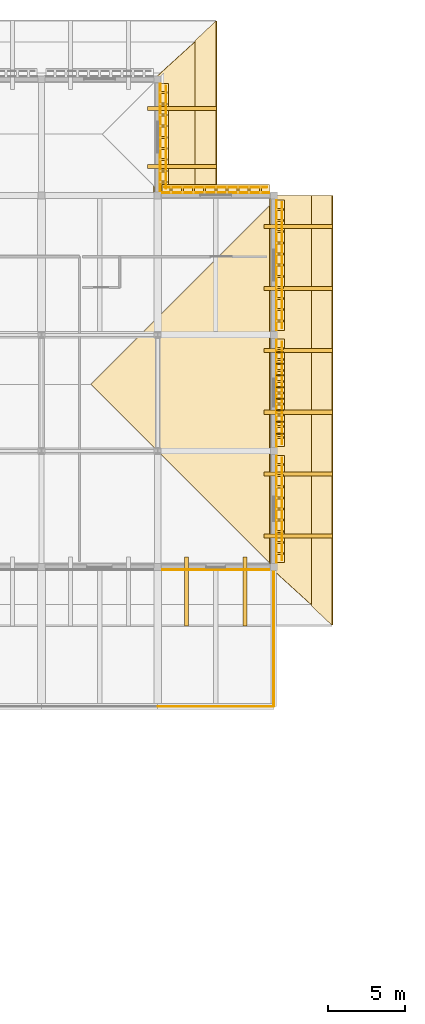
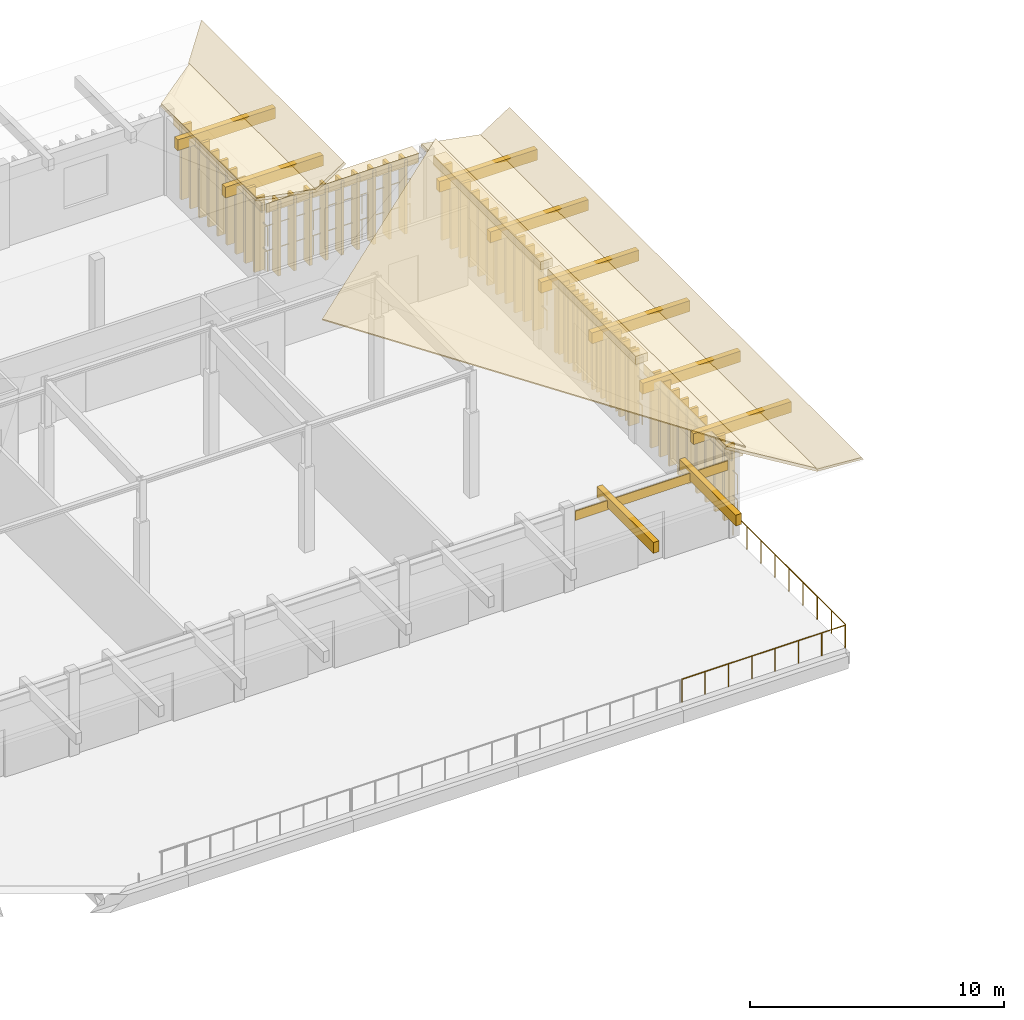
# One storey, part 48 of 48: 73 coverings, 12 railings, 8 shading devices.
"""IFC4 building model written with IfcOpenShell, lengths in metres."""

from ifc_helpers import new_model, si_unit, direction, frame, origin, origin_2d, place, context, subcontext, project, spatial, polyline, rectangle, circle, outline, extrude, material, layer, layer_set, type_object, element, save


model = new_model("IFC4")

# Units and contexts
model_context = context("Model", 3, precision=1e-05, world=origin(), true_north=direction((0.0, 1.0)))
body_context = subcontext(model_context, "Body", "Model", "MODEL_VIEW")
ifc_project = project(units=[si_unit("LENGTHUNIT", "METRE"), si_unit("AREAUNIT", "SQUARE_METRE"), si_unit("VOLUMEUNIT", "CUBIC_METRE"), si_unit("PLANEANGLEUNIT", "RADIAN"), si_unit("MASSUNIT", "GRAM", prefix="KILO")], contexts=[model_context])

# Site, building, storey
site_placement = place(None, origin())
site = spatial("IfcSite", under=ifc_project, at=site_placement, CompositionType="ELEMENT")
building_placement = place(site_placement, origin())
building = spatial("IfcBuilding", under=site, at=building_placement, Name="Dalvernix Boulevard General Hospital", CompositionType="ELEMENT")
storey_placement = place(building_placement, frame((0.0, 0.0, 17.85009765625)))
storey = spatial("IfcBuildingStorey", under=building, at=storey_placement, Name="L04", CompositionType="ELEMENT", Elevation=17.85009765625)

# Coverings
ifc_material_1 = material(Name="Polychrome Catalan glazed ceramic spandrel tile panel")
ifc_layer_1 = layer(ifc_material_1, 0.044921875)
ifc_layer_set_1 = layer_set([ifc_layer_1], Name="Polychrome Catalan glazed ceramic spandrel tile panel (COV-CLD-01)")
covering_type_1 = type_object("IfcCoveringType", Name="COV-CLD-01", PredefinedType="CLADDING", material=ifc_layer_set_1)
for number, where, z_axis, x_axis, name in (
    (1, (127.669921875, 113.25, 3.294921875), (0.0, 0.0, 1.0), (0.0, -1.0, 0.0), "L04 polychrome ceramic spandrel E 17-14"),
    (2, (131.25, 85.330078125, 3.294921875), (0.0, 0.0, 1.0), (-1.0, 0.0, 0.0), "L04 polychrome ceramic spandrel S 17-11"),
    (3, (135.169921875, 89.25, 3.294921875), (0.0, 0.0, 1.0), (0.0, -1.0, 0.0), "L04 polychrome ceramic spandrel E 18-11"),
    (4, (135.169921875, 96.75, 3.294921875), (0.0, 0.0, 1.0), (0.0, -1.0, 0.0), "L04 polychrome ceramic spandrel E 18-12"),
    (5, (131.25, 109.669921875, 3.294921875), (0.0, 0.0, 1.0), (1.0, 0.0, 0.0), "L04 polychrome ceramic spandrel N 17-14"),
):
    element("IfcCovering", number, at=place(storey_placement, frame(where, z_axis=z_axis, x_axis=x_axis)), inside=storey, type_object=covering_type_1, Name=name, PredefinedType="CLADDING", context=body_context, shape_type="SweptSolid", body=[
        extrude(rectangle(XDim=6.929931640625, YDim=0.044921875, at=origin_2d()), origin(), (0.0, 0.0, 1.0), 0.449951171875),
    ])
covering_1_placement = place(storey_placement, frame((135.169921875, 105.0, 3.294921875), z_axis=(0.0, 0.0, 1.0), x_axis=(0.0, -1.0, 0.0)))
element("IfcCovering", 6, at=covering_1_placement, inside=storey, type_object=covering_type_1, Name="L04 polychrome ceramic spandrel E 18-13", PredefinedType="CLADDING", context=body_context, shape_type="SweptSolid", body=[
    extrude(rectangle(XDim=8.429931640625, YDim=0.044921875, at=origin_2d()), origin(), (0.0, 0.0, 1.0), 0.449951171875),
])
ifc_material_2 = material(Name="Dressed ochre limestone classical plinth, stringcourse and corbelled cornice", Category="masonry")
ifc_layer_2 = layer(ifc_material_2, 0.449951171875)
ifc_layer_set_2 = layer_set([ifc_layer_2], Name="Dressed ochre limestone classical plinth, stringcourse and corbelled cornice (COV-CRN-01)")
covering_type_2 = type_object("IfcCoveringType", Name="COV-CRN-01", PredefinedType="CLADDING", material=ifc_layer_set_2)
for number, where, z_axis, x_axis, name in (
    (7, (127.909912109375, 113.25, 3.369873046875), (0.0, 0.0, 1.0), (0.0, -1.0, 0.0), "L04 classical corbelled cornice frieze E 17-14"),
    (8, (135.409912109375, 89.25, 3.369873046875), (0.0, 0.0, 1.0), (0.0, -1.0, 0.0), "L04 classical corbelled cornice frieze E 18-11"),
    (9, (135.409912109375, 96.75, 3.369873046875), (0.0, 0.0, 1.0), (0.0, -1.0, 0.0), "L04 classical corbelled cornice frieze E 18-12"),
    (10, (131.25, 109.909912109375, 3.369873046875), (0.0, 0.0, 1.0), (1.0, 0.0, 0.0), "L04 classical corbelled cornice frieze N 17-14"),
):
    element("IfcCovering", number, at=place(storey_placement, frame(where, z_axis=z_axis, x_axis=x_axis)), inside=storey, type_object=covering_type_2, Name=name, PredefinedType="CLADDING", context=body_context, shape_type="SweptSolid", body=[
        extrude(rectangle(XDim=6.929931640625, YDim=0.56005859375, at=origin_2d()), origin(), (0.0, 0.0, 1.0), 0.39990234375),
    ])
covering_2_placement = place(storey_placement, frame((135.409912109375, 105.0, 3.369873046875), z_axis=(0.0, 0.0, 1.0), x_axis=(0.0, -1.0, 0.0)))
element("IfcCovering", 11, at=covering_2_placement, inside=storey, type_object=covering_type_2, Name="L04 classical corbelled cornice frieze E 18-13", PredefinedType="CLADDING", context=body_context, shape_type="SweptSolid", body=[
    extrude(rectangle(XDim=8.429931640625, YDim=0.56005859375, at=origin_2d()), origin(), (0.0, 0.0, 1.0), 0.39990234375),
])
ifc_material_3 = material(Name="Glazed Catalan terracotta and iroko timber overhanging upturned eave", Category="masonry")
ifc_layer_3 = layer(ifc_material_3, 0.139892578125)
ifc_layer_set_3 = layer_set([ifc_layer_3], Name="Glazed Catalan terracotta and iroko timber overhanging upturned eave (COV-EAVE-01)")
covering_type_3 = type_object("IfcCoveringType", Name="COV-EAVE-01", PredefinedType="CLADDING", material=ifc_layer_set_3)
covering_3_placement = place(storey_placement, frame((134.75, 85.5, 4.309814453125), z_axis=(0.185805173125, 0.0, 0.982586605669), x_axis=(0.0, 1.0, 0.0)))
element("IfcCovering", 12, at=covering_3_placement, inside=storey, type_object=covering_type_3, Name="V3E overhanging ceramic eave skirt E", PredefinedType="CLADDING", context=body_context, shape_type="SweptSolid", body=[
    extrude(outline(polyline([(0.0, 0.0), (24.0, 0.0), (24.0, -2.798735484621844), (-2.5, -2.798735484621844), (0.0, 0.0)])), origin(), (0.0, 0.0, -1.0), 0.139892578125),
])
covering_4_placement = place(storey_placement, frame((137.419921875, 83.0, 3.789794921875), z_axis=(-0.543014792189, 0.0, 0.839723130242), x_axis=(0.0, 1.0, 0.0)))
element("IfcCovering", 13, at=covering_4_placement, inside=storey, type_object=covering_type_3, Name="V3E upturned ceramic eave wing E", PredefinedType="CLADDING", context=body_context, shape_type="SweptSolid", body=[
    extrude(outline(polyline([(0.0, 0.0), (26.5, 0.0), (26.5, -1.583948419541487), (-1.25, -1.583948419541487), (0.0, 0.0)])), origin(), (0.0, 0.0, -1.0), 0.139892578125),
])
covering_5_placement = place(storey_placement, frame((127.25, 109.5, 4.309814453125), z_axis=(0.185805173125, 0.0, 0.982586605669), x_axis=(0.0, 1.0, 0.0)))
element("IfcCovering", 14, at=covering_5_placement, inside=storey, type_object=covering_type_3, Name="V3NE overhanging ceramic eave skirt E", PredefinedType="CLADDING", context=body_context, shape_type="SweptSolid", body=[
    extrude(outline(polyline([(0.0, 0.0), (7.5, 0.0), (10.0, -2.798735484621844), (0.0, -2.798735484621844), (0.0, 0.0)])), origin(), (0.0, 0.0, -1.0), 0.139892578125),
])
covering_6_placement = place(storey_placement, frame((129.919921875, 109.5, 3.789794921875), z_axis=(-0.543014792189, 0.0, 0.839723130242), x_axis=(0.0, 1.0, 0.0)))
element("IfcCovering", 15, at=covering_6_placement, inside=storey, type_object=covering_type_3, Name="V3NE upturned ceramic eave wing E", PredefinedType="CLADDING", context=body_context, shape_type="SweptSolid", body=[
    extrude(outline(polyline([(0.0, 0.0), (10.0, 0.0), (11.25, -1.5839484195414872), (0.0, -1.5839484195414872), (0.0, 0.0)])), origin(), (0.0, 0.0, -1.0), 0.139892578125),
])
ifc_material_4 = material(Name="Preservative-treated glulam GL28h eave outlooker corbel bracket", Category="wood")
ifc_layer_4 = layer(ifc_material_4, 0.239990234375)
ifc_layer_set_4 = layer_set([ifc_layer_4], Name="Preservative-treated glulam GL28h eave outlooker corbel bracket (COV-OUTLOOK-01)")
covering_type_4 = type_object("IfcCoveringType", Name="COV-OUTLOOK-01", PredefinedType="CLADDING", material=ifc_layer_set_4)
for number, where, z_axis, x_axis, name in (
    (16, (129.375, 83.925048828125, 3.389892578125), (0.0, 0.0, 1.0), (1.0, 0.0, 0.0), "V3E glulam eave outlooker corbel S-9"),
    (17, (133.125, 83.925048828125, 3.389892578125), (0.0, 0.0, 1.0), (1.0, 0.0, 0.0), "V3E glulam eave outlooker corbel S-10"),
):
    element("IfcCovering", number, at=place(storey_placement, frame(where, z_axis=z_axis, x_axis=x_axis)), inside=storey, type_object=covering_type_4, Name=name, PredefinedType="CLADDING", context=body_context, shape_type="SweptSolid", body=[
        extrude(rectangle(XDim=0.260009765625, YDim=4.449951171875, at=origin_2d()), origin(), (0.0, 0.0, 1.0), 0.52001953125),
    ])
for number, where, z_axis, x_axis, name in (
    (18, (136.574951171875, 87.5, 3.389892578125), (0.0, 0.0, 1.0), (1.0, 0.0, 0.0), "V3E glulam eave outlooker corbel E-1"),
    (19, (136.574951171875, 91.5, 3.389892578125), (0.0, 0.0, 1.0), (1.0, 0.0, 0.0), "V3E glulam eave outlooker corbel E-2"),
    (20, (136.574951171875, 95.5, 3.389892578125), (0.0, 0.0, 1.0), (1.0, 0.0, 0.0), "V3E glulam eave outlooker corbel E-3"),
    (21, (136.574951171875, 99.5, 3.389892578125), (0.0, 0.0, 1.0), (1.0, 0.0, 0.0), "V3E glulam eave outlooker corbel E-4"),
    (22, (136.574951171875, 103.5, 3.389892578125), (0.0, 0.0, 1.0), (1.0, 0.0, 0.0), "V3E glulam eave outlooker corbel E-5"),
    (23, (136.574951171875, 107.5, 3.389892578125), (0.0, 0.0, 1.0), (1.0, 0.0, 0.0), "V3E glulam eave outlooker corbel E-6"),
    (24, (129.074951171875, 111.375, 3.389892578125), (0.0, 0.0, 1.0), (1.0, 0.0, 0.0), "V3NE glulam eave outlooker corbel E-1"),
    (25, (129.074951171875, 115.125, 3.389892578125), (0.0, 0.0, 1.0), (1.0, 0.0, 0.0), "V3NE glulam eave outlooker corbel E-2"),
):
    element("IfcCovering", number, at=place(storey_placement, frame(where, z_axis=z_axis, x_axis=x_axis)), inside=storey, type_object=covering_type_4, Name=name, PredefinedType="CLADDING", context=body_context, shape_type="SweptSolid", body=[
        extrude(rectangle(XDim=4.449951171875, YDim=0.260009765625, at=origin_2d()), origin(), (0.0, 0.0, 1.0), 0.52001953125),
    ])
ifc_material_5 = material(Name="Polychrome Catalan glazed terracotta roof tiles", Category="masonry")
ifc_layer_5 = layer(ifc_material_5, 0.050048828125)
ifc_layer_set_5 = layer_set([ifc_layer_5], Name="Polychrome Catalan glazed terracotta roof tiles (COV-ROOF-01)")
covering_type_5 = type_object("IfcCoveringType", Name="COV-ROOF-01", PredefinedType="ROOFING", material=ifc_layer_set_5)
covering_7_placement = place(storey_placement, frame((135.39990234375, 85.10009765625, 4.31982421875), z_axis=(0.238532452459, 0.0, 0.97113452679), x_axis=(0.0, 1.0, 0.0)))
element("IfcCovering", 26, at=covering_7_placement, inside=storey, type_object=covering_type_5, Name="V3E glazed terracotta tile slope E", PredefinedType="ROOFING", context=body_context, shape_type="SweptSolid", body=[
    extrude(outline(polyline([(0.0, 0.0), (24.39990234375, 0.0), (12.199951171875, 12.562575869070187), (0.0, 0.0)])), origin(), (0.0, 0.0, -1.0), 0.050048828125),
])
ifc_material_6 = material(Name="Preservative-treated West African iroko timber lattice screen", Category="wood")
ifc_layer_6 = layer(ifc_material_6, 0.1201171875)
ifc_layer_set_6 = layer_set([ifc_layer_6], Name="Preservative-treated West African iroko timber lattice screen (COV-TSCR-01)")
covering_type_6 = type_object("IfcCoveringType", Name="COV-TSCR-01", PredefinedType="CLADDING", material=ifc_layer_set_6)
for number, where, z_axis, x_axis, name in (
    (27, (127.8701171875, 116.1298828125, 0.10009765625), (0.0, 0.0, 1.0), (0.0, -1.0, 0.0), "L04 upper-ward timber screen blade E 17-14-1"),
    (28, (127.8701171875, 115.409912109375, 0.10009765625), (0.0, 0.0, 1.0), (0.0, -1.0, 0.0), "L04 upper-ward timber screen blade E 17-14-2"),
    (29, (127.8701171875, 114.68994140625, 0.10009765625), (0.0, 0.0, 1.0), (0.0, -1.0, 0.0), "L04 upper-ward timber screen blade E 17-14-3"),
    (30, (127.8701171875, 113.969970703125, 0.10009765625), (0.0, 0.0, 1.0), (0.0, -1.0, 0.0), "L04 upper-ward timber screen blade E 17-14-4"),
    (31, (127.8701171875, 113.25, 0.10009765625), (0.0, 0.0, 1.0), (0.0, -1.0, 0.0), "L04 upper-ward timber screen blade E 17-14-5"),
    (32, (127.8701171875, 112.530029296875, 0.10009765625), (0.0, 0.0, 1.0), (0.0, -1.0, 0.0), "L04 upper-ward timber screen blade E 17-14-6"),
    (33, (127.8701171875, 111.81005859375, 0.10009765625), (0.0, 0.0, 1.0), (0.0, -1.0, 0.0), "L04 upper-ward timber screen blade E 17-14-7"),
    (34, (127.8701171875, 111.090087890625, 0.10009765625), (0.0, 0.0, 1.0), (0.0, -1.0, 0.0), "L04 upper-ward timber screen blade E 17-14-8"),
    (35, (127.8701171875, 110.3701171875, 0.10009765625), (0.0, 0.0, 1.0), (0.0, -1.0, 0.0), "L04 upper-ward timber screen blade E 17-14-9"),
    (36, (135.3701171875, 92.1298828125, 0.10009765625), (0.0, 0.0, 1.0), (0.0, -1.0, 0.0), "L04 upper-ward timber screen blade E 18-11-1"),
    (37, (135.3701171875, 91.409912109375, 0.10009765625), (0.0, 0.0, 1.0), (0.0, -1.0, 0.0), "L04 upper-ward timber screen blade E 18-11-2"),
    (38, (135.3701171875, 90.68994140625, 0.10009765625), (0.0, 0.0, 1.0), (0.0, -1.0, 0.0), "L04 upper-ward timber screen blade E 18-11-3"),
    (39, (135.3701171875, 89.969970703125, 0.10009765625), (0.0, 0.0, 1.0), (0.0, -1.0, 0.0), "L04 upper-ward timber screen blade E 18-11-4"),
    (40, (135.3701171875, 89.25, 0.10009765625), (0.0, 0.0, 1.0), (0.0, -1.0, 0.0), "L04 upper-ward timber screen blade E 18-11-5"),
    (41, (135.3701171875, 88.530029296875, 0.10009765625), (0.0, 0.0, 1.0), (0.0, -1.0, 0.0), "L04 upper-ward timber screen blade E 18-11-6"),
    (42, (135.3701171875, 87.81005859375, 0.10009765625), (0.0, 0.0, 1.0), (0.0, -1.0, 0.0), "L04 upper-ward timber screen blade E 18-11-7"),
    (43, (135.3701171875, 87.090087890625, 0.10009765625), (0.0, 0.0, 1.0), (0.0, -1.0, 0.0), "L04 upper-ward timber screen blade E 18-11-8"),
    (44, (135.3701171875, 86.3701171875, 0.10009765625), (0.0, 0.0, 1.0), (0.0, -1.0, 0.0), "L04 upper-ward timber screen blade E 18-11-9"),
    (45, (135.3701171875, 99.6298828125, 0.10009765625), (0.0, 0.0, 1.0), (0.0, -1.0, 0.0), "L04 upper-ward timber screen blade E 18-12-1"),
    (46, (135.3701171875, 98.909912109375, 0.10009765625), (0.0, 0.0, 1.0), (0.0, -1.0, 0.0), "L04 upper-ward timber screen blade E 18-12-2"),
    (47, (135.3701171875, 98.18994140625, 0.10009765625), (0.0, 0.0, 1.0), (0.0, -1.0, 0.0), "L04 upper-ward timber screen blade E 18-12-3"),
    (48, (135.3701171875, 97.469970703125, 0.10009765625), (0.0, 0.0, 1.0), (0.0, -1.0, 0.0), "L04 upper-ward timber screen blade E 18-12-4"),
    (49, (135.3701171875, 96.75, 0.10009765625), (0.0, 0.0, 1.0), (0.0, -1.0, 0.0), "L04 upper-ward timber screen blade E 18-12-5"),
    (50, (135.3701171875, 96.030029296875, 0.10009765625), (0.0, 0.0, 1.0), (0.0, -1.0, 0.0), "L04 upper-ward timber screen blade E 18-12-6"),
    (51, (135.3701171875, 95.31005859375, 0.10009765625), (0.0, 0.0, 1.0), (0.0, -1.0, 0.0), "L04 upper-ward timber screen blade E 18-12-7"),
    (52, (135.3701171875, 94.590087890625, 0.10009765625), (0.0, 0.0, 1.0), (0.0, -1.0, 0.0), "L04 upper-ward timber screen blade E 18-12-8"),
    (53, (135.3701171875, 93.8701171875, 0.10009765625), (0.0, 0.0, 1.0), (0.0, -1.0, 0.0), "L04 upper-ward timber screen blade E 18-12-9"),
    (54, (128.3701171875, 109.8701171875, 0.10009765625), (0.0, 0.0, 1.0), (1.0, 0.0, 0.0), "L04 upper-ward timber screen blade N 17-14-1"),
    (55, (129.090087890625, 109.8701171875, 0.10009765625), (0.0, 0.0, 1.0), (1.0, 0.0, 0.0), "L04 upper-ward timber screen blade N 17-14-2"),
    (56, (129.81005859375, 109.8701171875, 0.10009765625), (0.0, 0.0, 1.0), (1.0, 0.0, 0.0), "L04 upper-ward timber screen blade N 17-14-3"),
    (57, (130.530029296875, 109.8701171875, 0.10009765625), (0.0, 0.0, 1.0), (1.0, 0.0, 0.0), "L04 upper-ward timber screen blade N 17-14-4"),
    (58, (131.25, 109.8701171875, 0.10009765625), (0.0, 0.0, 1.0), (1.0, 0.0, 0.0), "L04 upper-ward timber screen blade N 17-14-5"),
    (59, (131.969970703125, 109.8701171875, 0.10009765625), (0.0, 0.0, 1.0), (1.0, 0.0, 0.0), "L04 upper-ward timber screen blade N 17-14-6"),
    (60, (132.68994140625, 109.8701171875, 0.10009765625), (0.0, 0.0, 1.0), (1.0, 0.0, 0.0), "L04 upper-ward timber screen blade N 17-14-7"),
    (61, (133.409912109375, 109.8701171875, 0.10009765625), (0.0, 0.0, 1.0), (1.0, 0.0, 0.0), "L04 upper-ward timber screen blade N 17-14-8"),
    (62, (134.1298828125, 109.8701171875, 0.10009765625), (0.0, 0.0, 1.0), (1.0, 0.0, 0.0), "L04 upper-ward timber screen blade N 17-14-9"),
    (63, (135.3701171875, 108.60009765625, 0.10009765625), (0.0, 0.0, 1.0), (0.0, -1.0, 0.0), "L04 upper-ward timber screen blade E 18-13-1"),
    (64, (135.3701171875, 107.8798828125, 0.10009765625), (0.0, 0.0, 1.0), (0.0, -1.0, 0.0), "L04 upper-ward timber screen blade E 18-13-2"),
    (65, (135.3701171875, 107.159912109375, 0.10009765625), (0.0, 0.0, 1.0), (0.0, -1.0, 0.0), "L04 upper-ward timber screen blade E 18-13-3"),
    (66, (135.3701171875, 106.43994140625, 0.10009765625), (0.0, 0.0, 1.0), (0.0, -1.0, 0.0), "L04 upper-ward timber screen blade E 18-13-4"),
    (67, (135.3701171875, 105.719970703125, 0.10009765625), (0.0, 0.0, 1.0), (0.0, -1.0, 0.0), "L04 upper-ward timber screen blade E 18-13-5"),
    (68, (135.3701171875, 105.0, 0.10009765625), (0.0, 0.0, 1.0), (0.0, -1.0, 0.0), "L04 upper-ward timber screen blade E 18-13-6"),
    (69, (135.3701171875, 104.280029296875, 0.10009765625), (0.0, 0.0, 1.0), (0.0, -1.0, 0.0), "L04 upper-ward timber screen blade E 18-13-7"),
    (70, (135.3701171875, 103.56005859375, 0.10009765625), (0.0, 0.0, 1.0), (0.0, -1.0, 0.0), "L04 upper-ward timber screen blade E 18-13-8"),
    (71, (135.3701171875, 102.840087890625, 0.10009765625), (0.0, 0.0, 1.0), (0.0, -1.0, 0.0), "L04 upper-ward timber screen blade E 18-13-9"),
    (72, (135.3701171875, 102.1201171875, 0.10009765625), (0.0, 0.0, 1.0), (0.0, -1.0, 0.0), "L04 upper-ward timber screen blade E 18-13-10"),
    (73, (135.3701171875, 101.39990234375, 0.10009765625), (0.0, 0.0, 1.0), (0.0, -1.0, 0.0), "L04 upper-ward timber screen blade E 18-13-11"),
):
    element("IfcCovering", number, at=place(storey_placement, frame(where, z_axis=z_axis, x_axis=x_axis)), inside=storey, type_object=covering_type_6, Name=name, PredefinedType="CLADDING", context=body_context, shape_type="SweptSolid", body=[
        extrude(rectangle(XDim=0.1298828125, YDim=0.47998046875, at=origin_2d()), origin(), (0.0, 0.0, 1.0), 3.570068359375),
    ])

# Railings
ifc_material_7 = material(Name="Powder-coated galvanized steel balustrade", Category="steel")
railing_type_1 = type_object("IfcRailingType", Name="RL-GR-EXT1", PredefinedType="BALUSTRADE", material=ifc_material_7)
railing_1_placement = place(storey_placement, frame((135.0, 85.409912109375, 0.0)))
element("IfcRailing", 74, at=railing_1_placement, inside=storey, type_object=railing_type_1, Name="L04 terrace safety balustrade 1", PredefinedType="BALUSTRADE", context=body_context, shape_type="SweptSolid", body=[
    extrude(circle(Radius=0.02392578125, at=origin_2d()), frame((0.0, 0.0, 1.09619140625), z_axis=(0.0, -1.0, 0.0), x_axis=(1.0, 0.0, 0.0)), (0.0, 0.0, 1.0), 8.869873046875),
    extrude(circle(Radius=0.02099609375, at=origin_2d()), origin(), (0.0, 0.0, 1.0), 1.072021484375),
    extrude(circle(Radius=0.02099609375, at=origin_2d()), frame((0.0, -1.108642578125, 0.0)), (0.0, 0.0, 1.0), 1.072021484375),
    extrude(circle(Radius=0.02099609375, at=origin_2d()), frame((0.0, -2.217529296875, 0.0)), (0.0, 0.0, 1.0), 1.072021484375),
    extrude(circle(Radius=0.02099609375, at=origin_2d()), frame((0.0, -3.326171875, 0.0)), (0.0, 0.0, 1.0), 1.072021484375),
    extrude(circle(Radius=0.02099609375, at=origin_2d()), frame((0.0, -4.43505859375, 0.0)), (0.0, 0.0, 1.0), 1.072021484375),
    extrude(circle(Radius=0.02099609375, at=origin_2d()), frame((0.0, -5.543701171875, 0.0)), (0.0, 0.0, 1.0), 1.072021484375),
    extrude(circle(Radius=0.02099609375, at=origin_2d()), frame((0.0, -6.65234375, 0.0)), (0.0, 0.0, 1.0), 1.072021484375),
    extrude(circle(Radius=0.02099609375, at=origin_2d()), frame((0.0, -7.76123046875, 0.0)), (0.0, 0.0, 1.0), 1.072021484375),
    extrude(circle(Radius=0.02099609375, at=origin_2d()), frame((0.0, -8.869873046875, 0.0)), (0.0, 0.0, 1.0), 1.072021484375),
])
railing_2_placement = place(storey_placement, frame((134.9599609375, 76.5, 0.0)))
element("IfcRailing", 75, at=railing_2_placement, inside=storey, type_object=railing_type_1, Name="L04 terrace safety balustrade 2", PredefinedType="BALUSTRADE", context=body_context, shape_type="SweptSolid", body=[
    extrude(circle(Radius=0.02392578125, at=origin_2d()), frame((0.0, 0.0, 1.09619140625), z_axis=(-1.0, 0.0, 0.0), x_axis=(0.0, -1.0, 0.0)), (0.0, 0.0, 1.0), 7.419921875),
    extrude(circle(Radius=0.02099609375, at=origin_2d()), origin(), (0.0, 0.0, 1.0), 1.072021484375),
    extrude(circle(Radius=0.02099609375, at=origin_2d()), frame((-1.06005859375, 0.0, 0.0)), (0.0, 0.0, 1.0), 1.072021484375),
    extrude(circle(Radius=0.02099609375, at=origin_2d()), frame((-2.119873046875, 0.0, 0.0)), (0.0, 0.0, 1.0), 1.072021484375),
    extrude(circle(Radius=0.02099609375, at=origin_2d()), frame((-3.179931640625, 0.0, 0.0)), (0.0, 0.0, 1.0), 1.072021484375),
    extrude(circle(Radius=0.02099609375, at=origin_2d()), frame((-4.239990234375, 0.0, 0.0)), (0.0, 0.0, 1.0), 1.072021484375),
    extrude(circle(Radius=0.02099609375, at=origin_2d()), frame((-5.300048828125, 0.0, 0.0)), (0.0, 0.0, 1.0), 1.072021484375),
    extrude(circle(Radius=0.02099609375, at=origin_2d()), frame((-6.35986328125, 0.0, 0.0)), (0.0, 0.0, 1.0), 1.072021484375),
    extrude(circle(Radius=0.02099609375, at=origin_2d()), frame((-7.419921875, 0.0, 0.0)), (0.0, 0.0, 1.0), 1.072021484375),
])
ifc_material_8 = material(Name="Preservative-treated iroko timber horizontal screen louver rail", Category="wood")
railing_type_2 = type_object("IfcRailingType", Name="RL-TSCR-01", PredefinedType="BALUSTRADE", material=ifc_material_8)
for number, where, name in (
    (76, (128.030029296875, 116.544921875, 0.25), "L04 upper-ward horizontal timber screen louver E 17-14-1"),
    (77, (128.030029296875, 116.544921875, 1.449951171875), "L04 upper-ward horizontal timber screen louver E 17-14-2"),
    (78, (135.530029296875, 92.544921875, 0.25), "L04 upper-ward horizontal timber screen louver E 18-11-1"),
    (79, (135.530029296875, 92.544921875, 1.449951171875), "L04 upper-ward horizontal timber screen louver E 18-11-2"),
    (80, (135.530029296875, 100.044921875, 0.25), "L04 upper-ward horizontal timber screen louver E 18-12-1"),
    (81, (135.530029296875, 100.044921875, 1.449951171875), "L04 upper-ward horizontal timber screen louver E 18-12-2"),
):
    element("IfcRailing", number, at=place(storey_placement, frame(where)), inside=storey, type_object=railing_type_2, Name=name, PredefinedType="BALUSTRADE", context=body_context, shape_type="SweptSolid", body=[
        extrude(circle(Radius=0.02392578125, at=origin_2d()), frame((0.0, 0.0, 0.92578125), z_axis=(0.0, -1.0, 0.0), x_axis=(1.0, 0.0, 0.0)), (0.0, 0.0, 1.0), 6.58984375),
        extrude(circle(Radius=0.02099609375, at=origin_2d()), origin(), (0.0, 0.0, 1.0), 0.90185546875),
        extrude(circle(Radius=0.02099609375, at=origin_2d()), frame((0.0, -1.098388671875, 0.0)), (0.0, 0.0, 1.0), 0.90185546875),
        extrude(circle(Radius=0.02099609375, at=origin_2d()), frame((0.0, -2.196533203125, 0.0)), (0.0, 0.0, 1.0), 0.90185546875),
        extrude(circle(Radius=0.02099609375, at=origin_2d()), frame((0.0, -3.294921875, 0.0)), (0.0, 0.0, 1.0), 0.90185546875),
        extrude(circle(Radius=0.02099609375, at=origin_2d()), frame((0.0, -4.393310546875, 0.0)), (0.0, 0.0, 1.0), 0.90185546875),
        extrude(circle(Radius=0.02099609375, at=origin_2d()), frame((0.0, -5.491455078125, 0.0)), (0.0, 0.0, 1.0), 0.90185546875),
        extrude(circle(Radius=0.02099609375, at=origin_2d()), frame((0.0, -6.58984375, 0.0)), (0.0, 0.0, 1.0), 0.90185546875),
    ])
for number, where, name in (
    (82, (127.955078125, 110.030029296875, 0.25), "L04 upper-ward horizontal timber screen louver N 17-14-1"),
    (83, (127.955078125, 110.030029296875, 1.449951171875), "L04 upper-ward horizontal timber screen louver N 17-14-2"),
):
    element("IfcRailing", number, at=place(storey_placement, frame(where)), inside=storey, type_object=railing_type_2, Name=name, PredefinedType="BALUSTRADE", context=body_context, shape_type="SweptSolid", body=[
        extrude(circle(Radius=0.02392578125, at=origin_2d()), frame((0.0, 0.0, 0.92578125), z_axis=(1.0, 0.0, 0.0), x_axis=(0.0, 1.0, 0.0)), (0.0, 0.0, 1.0), 6.58984375),
        extrude(circle(Radius=0.02099609375, at=origin_2d()), origin(), (0.0, 0.0, 1.0), 0.90185546875),
        extrude(circle(Radius=0.02099609375, at=origin_2d()), frame((1.098388671875, 0.0, 0.0)), (0.0, 0.0, 1.0), 0.90185546875),
        extrude(circle(Radius=0.02099609375, at=origin_2d()), frame((2.196533203125, 0.0, 0.0)), (0.0, 0.0, 1.0), 0.90185546875),
        extrude(circle(Radius=0.02099609375, at=origin_2d()), frame((3.294921875, 0.0, 0.0)), (0.0, 0.0, 1.0), 0.90185546875),
        extrude(circle(Radius=0.02099609375, at=origin_2d()), frame((4.393310546875, 0.0, 0.0)), (0.0, 0.0, 1.0), 0.90185546875),
        extrude(circle(Radius=0.02099609375, at=origin_2d()), frame((5.491455078125, 0.0, 0.0)), (0.0, 0.0, 1.0), 0.90185546875),
        extrude(circle(Radius=0.02099609375, at=origin_2d()), frame((6.58984375, 0.0, 0.0)), (0.0, 0.0, 1.0), 0.90185546875),
    ])
for number, where, name in (
    (84, (135.530029296875, 109.044921875, 0.25), "L04 upper-ward horizontal timber screen louver E 18-13-1"),
    (85, (135.530029296875, 109.044921875, 1.449951171875), "L04 upper-ward horizontal timber screen louver E 18-13-2"),
):
    element("IfcRailing", number, at=place(storey_placement, frame(where)), inside=storey, type_object=railing_type_2, Name=name, PredefinedType="BALUSTRADE", context=body_context, shape_type="SweptSolid", body=[
        extrude(circle(Radius=0.02392578125, at=origin_2d()), frame((0.0, 0.0, 0.92578125), z_axis=(0.0, -1.0, 0.0), x_axis=(1.0, 0.0, 0.0)), (0.0, 0.0, 1.0), 8.08984375),
        extrude(circle(Radius=0.02099609375, at=origin_2d()), origin(), (0.0, 0.0, 1.0), 0.90185546875),
        extrude(circle(Radius=0.02099609375, at=origin_2d()), frame((0.0, -1.15576171875, 0.0)), (0.0, 0.0, 1.0), 0.90185546875),
        extrude(circle(Radius=0.02099609375, at=origin_2d()), frame((0.0, -2.311279296875, 0.0)), (0.0, 0.0, 1.0), 0.90185546875),
        extrude(circle(Radius=0.02099609375, at=origin_2d()), frame((0.0, -3.467041015625, 0.0)), (0.0, 0.0, 1.0), 0.90185546875),
        extrude(circle(Radius=0.02099609375, at=origin_2d()), frame((0.0, -4.622802734375, 0.0)), (0.0, 0.0, 1.0), 0.90185546875),
        extrude(circle(Radius=0.02099609375, at=origin_2d()), frame((0.0, -5.778564453125, 0.0)), (0.0, 0.0, 1.0), 0.90185546875),
        extrude(circle(Radius=0.02099609375, at=origin_2d()), frame((0.0, -6.93408203125, 0.0)), (0.0, 0.0, 1.0), 0.90185546875),
        extrude(circle(Radius=0.02099609375, at=origin_2d()), frame((0.0, -8.08984375, 0.0)), (0.0, 0.0, 1.0), 0.90185546875),
    ])

# Shading devices
ifc_material_9 = material(Name="Preservative-treated West African iroko timber", Category="wood")
shading_device_type = type_object("IfcShadingDeviceType", Name="SHD-FIN-01", PredefinedType="USERDEFINED", material=ifc_material_9)
for number, where, z_axis, x_axis, name in (
    (86, (135.3798828125, 99.375, 0.175048828125), (0.0, 0.0, 1.0), (0.0, -1.0, 0.0), "L04 iroko brise-soleil fin 1"),
    (87, (135.3798828125, 98.625, 0.175048828125), (0.0, 0.0, 1.0), (0.0, -1.0, 0.0), "L04 iroko brise-soleil fin 2"),
    (88, (135.3798828125, 97.875, 0.175048828125), (0.0, 0.0, 1.0), (0.0, -1.0, 0.0), "L04 iroko brise-soleil fin 3"),
    (89, (135.3798828125, 97.125, 0.175048828125), (0.0, 0.0, 1.0), (0.0, -1.0, 0.0), "L04 iroko brise-soleil fin 4"),
    (90, (135.3798828125, 96.375, 0.175048828125), (0.0, 0.0, 1.0), (0.0, -1.0, 0.0), "L04 iroko brise-soleil fin 5"),
    (91, (135.3798828125, 95.625, 0.175048828125), (0.0, 0.0, 1.0), (0.0, -1.0, 0.0), "L04 iroko brise-soleil fin 6"),
    (92, (135.3798828125, 94.875, 0.175048828125), (0.0, 0.0, 1.0), (0.0, -1.0, 0.0), "L04 iroko brise-soleil fin 7"),
    (93, (135.3798828125, 94.125, 0.175048828125), (0.0, 0.0, 1.0), (0.0, -1.0, 0.0), "L04 iroko brise-soleil fin 8"),
):
    element("IfcShadingDevice", number, at=place(storey_placement, frame(where, z_axis=z_axis, x_axis=x_axis)), inside=storey, type_object=shading_device_type, Name=name, ObjectType="FIN", PredefinedType="USERDEFINED", context=body_context, shape_type="SweptSolid", body=[
        extrude(rectangle(XDim=0.06494140625, YDim=0.47998046875, at=origin_2d()), origin(), (0.0, 0.0, 1.0), 3.419921875),
    ])

save(model, "model.ifc")
